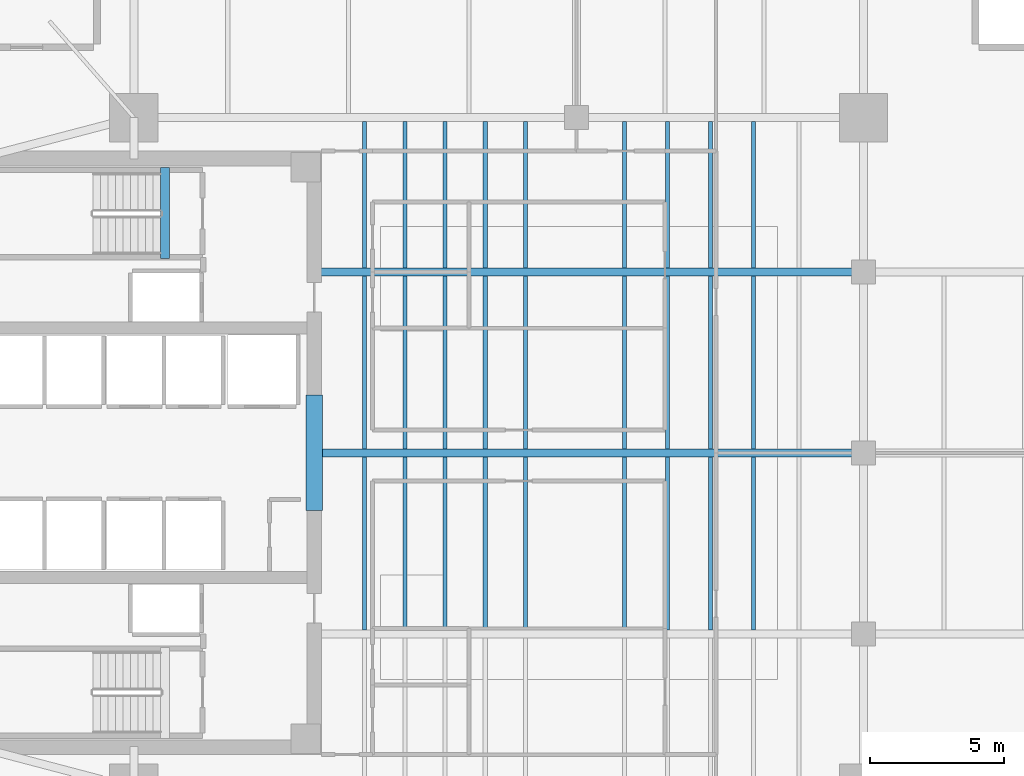
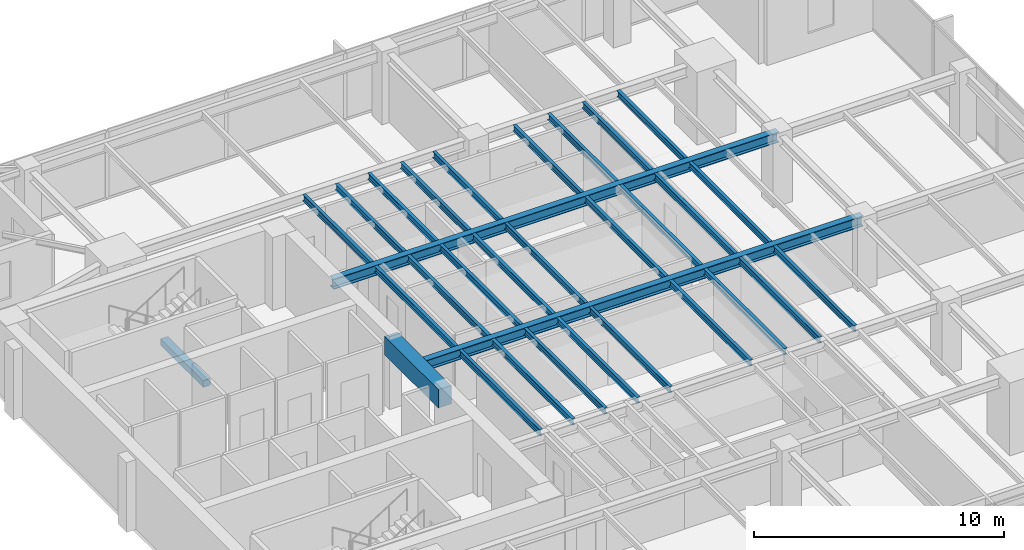
# One storey, part 3 of 14: 31 beams.
"""IFC4 building model written with IfcOpenShell, lengths in metres."""

from ifc_helpers import new_model, si_unit, direction, frame, origin, origin_2d, place, context, subcontext, project, spatial, rectangle, i_section, extrude, material, material_profile, profile_set, type_object, element, save


model = new_model("IFC4")

# Units and contexts
model_context = context("Model", 3, precision=1e-05, world=origin(), true_north=direction((0.0, 1.0)))
body_context = subcontext(model_context, "Body", "Model", "MODEL_VIEW")
ifc_project = project(units=[si_unit("LENGTHUNIT", "METRE"), si_unit("AREAUNIT", "SQUARE_METRE"), si_unit("VOLUMEUNIT", "CUBIC_METRE"), si_unit("PLANEANGLEUNIT", "RADIAN"), si_unit("MASSUNIT", "GRAM", prefix="KILO")], contexts=[model_context])

# Site, building, storey
site_placement = place(None, origin())
site = spatial("IfcSite", under=ifc_project, at=site_placement, CompositionType="ELEMENT")
building_placement = place(site_placement, origin())
building = spatial("IfcBuilding", under=site, at=building_placement, Name="Kinhvarn Gate Tower", CompositionType="ELEMENT")
storey_placement = place(building_placement, frame((0.0, 0.0, 188.050048828125)))
storey = spatial("IfcBuildingStorey", under=building, at=storey_placement, Name="L49", CompositionType="ELEMENT", Elevation=188.050048828125)

# Beams
ifc_material_1 = material(Name="Concrete C60/75", Category="concrete")
ifc_material_profile_1 = material_profile(ifc_material_1, rectangle(XDim=0.60009765625, YDim=0.89990234375, at=origin_2d()), Name="RC 600x900")
ifc_profile_set_1 = profile_set([ifc_material_profile_1], Name="Concrete C60/75")
beam_type_1 = type_object("IfcBeamType", Name="BM-CB-900", PredefinedType="LINTEL", material=ifc_profile_set_1)
beam_1_placement = place(storey_placement, frame((17.72509765625, 23.10009765625, 2.919921875), z_axis=(0.0, 1.0, 0.0), x_axis=(-1.0, 0.0, 0.0)))
element("IfcBeam", 1, at=beam_1_placement, inside=storey, type_object=beam_type_1, Name="Core East Portal Coupling Beam L49", PredefinedType="LINTEL", context=body_context, shape_type="SweptSolid", body=[
    extrude(rectangle(XDim=0.60009765625, YDim=0.89990234375, at=origin_2d()), origin(), (0.0, 0.0, 1.0), 4.2998046875),
])
ifc_material_2 = material(Name="Concrete C50/60", Category="concrete")
ifc_material_profile_2 = material_profile(ifc_material_2, rectangle(XDim=0.340087890625, YDim=0.320068359375, at=origin_2d()), Name="RC 340x320")
ifc_profile_set_2 = profile_set([ifc_material_profile_2], Name="Concrete C50/60")
beam_type_2 = type_object("IfcBeamType", Name="BM-LND-500", PredefinedType="BEAM", material=ifc_profile_set_2)
beam_2_placement = place(storey_placement, frame((12.1650390625, 32.5, -0.16015625), z_axis=(0.0, 1.0, 0.0), x_axis=(-1.0, 0.0, 0.0)))
element("IfcBeam", 2, at=beam_2_placement, inside=storey, type_object=beam_type_2, Name="Stair ST2 Landing Nosing Beam (L49)", PredefinedType="BEAM", context=body_context, shape_type="SweptSolid", body=[
    extrude(rectangle(XDim=0.340087890625, YDim=0.320068359375, at=origin_2d()), origin(), (0.0, 0.0, 1.0), 3.39990234375),
])
ifc_material_3 = material(Name="Steel S355", Category="steel")
ifc_material_profile_3 = material_profile(ifc_material_3, i_section(OverallWidth=0.300048828125, OverallDepth=0.5, WebThickness=0.014404296875, FlangeThickness=0.028076171875, at=origin_2d()), Name="HEB 500")
ifc_profile_set_3 = profile_set([ifc_material_profile_3], Name="Steel S355")
beam_type_3 = type_object("IfcBeamType", Name="STL-HEB500", PredefinedType="BEAM", material=ifc_profile_set_3)
beam_3_placement = place(storey_placement, frame((18.02490234375, 25.25, 3.119873046875), z_axis=(1.0, 0.0, 0.0), x_axis=(0.0, 1.0, 0.0)))
element("IfcBeam", 3, at=beam_3_placement, inside=storey, type_object=beam_type_3, Name="Floor Beam PG-14 (L49 EW1-Y25)", PredefinedType="BEAM", context=body_context, shape_type="SweptSolid", body=[
    extrude(i_section(OverallWidth=0.300048828125, OverallDepth=0.5, WebThickness=0.014404296875, FlangeThickness=0.028076171875, at=origin_2d()), origin(), (0.0, 0.0, 1.0), 20.175048828125),
])
beam_4_placement = place(storey_placement, frame((17.64990234375, 32.0, 3.119873046875), z_axis=(1.0, 0.0, 0.0), x_axis=(0.0, 1.0, 0.0)))
element("IfcBeam", 4, at=beam_4_placement, inside=storey, type_object=beam_type_3, Name="Floor Beam PG-14 (L49 EW1-Y32)", PredefinedType="BEAM", context=body_context, shape_type="SweptSolid", body=[
    extrude(i_section(OverallWidth=0.300048828125, OverallDepth=0.5, WebThickness=0.014404296875, FlangeThickness=0.028076171875, at=origin_2d()), origin(), (0.0, 0.0, 1.0), 20.550048828125),
])
ifc_material_profile_4 = material_profile(ifc_material_3, i_section(OverallWidth=0.14990234375, OverallDepth=0.300048828125, WebThickness=0.007080078125, FlangeThickness=0.0107421875, at=origin_2d()), Name="IPE 300")
ifc_profile_set_4 = profile_set([ifc_material_profile_4], Name="Steel S355")
beam_type_4 = type_object("IfcBeamType", Name="STL-IPE300", PredefinedType="JOIST", material=ifc_profile_set_4)
for number, where, z_axis, x_axis, name in (
    (5, (19.60009765625, 18.64990234375, 3.219970703125), (0.0, 1.0, 0.0), (-1.0, 0.0, 0.0), "Floor Joist SB-02 (L49 JC-X196-1)"),
    (6, (19.60009765625, 25.39990234375, 3.219970703125), (0.0, 1.0, 0.0), (-1.0, 0.0, 0.0), "Floor Joist SB-02 (L49 JC-X196-2)"),
):
    element("IfcBeam", number, at=place(storey_placement, frame(where, z_axis=z_axis, x_axis=x_axis)), inside=storey, type_object=beam_type_4, Name=name, PredefinedType="JOIST", context=body_context, shape_type="SweptSolid", body=[
        extrude(i_section(OverallWidth=0.14990234375, OverallDepth=0.300048828125, WebThickness=0.007080078125, FlangeThickness=0.0107421875, at=origin_2d()), origin(), (0.0, 0.0, 1.0), 6.4501953125),
    ])
beam_5_placement = place(storey_placement, frame((19.60009765625, 32.14990234375, 3.219970703125), z_axis=(0.0, 1.0, 0.0), x_axis=(-1.0, 0.0, 0.0)))
element("IfcBeam", 7, at=beam_5_placement, inside=storey, type_object=beam_type_4, Name="Floor Joist SB-02 (L49 JC-X196-3)", PredefinedType="JOIST", context=body_context, shape_type="SweptSolid", body=[
    extrude(i_section(OverallWidth=0.14990234375, OverallDepth=0.300048828125, WebThickness=0.007080078125, FlangeThickness=0.0107421875, at=origin_2d()), origin(), (0.0, 0.0, 1.0), 5.4501953125),
])
for number, where, z_axis, x_axis, name in (
    (8, (21.10009765625, 18.64990234375, 3.219970703125), (0.0, 1.0, 0.0), (-1.0, 0.0, 0.0), "Floor Joist SB-02 (L49 JC-X211-1)"),
    (9, (21.10009765625, 25.39990234375, 3.219970703125), (0.0, 1.0, 0.0), (-1.0, 0.0, 0.0), "Floor Joist SB-02 (L49 JC-X211-2)"),
):
    element("IfcBeam", number, at=place(storey_placement, frame(where, z_axis=z_axis, x_axis=x_axis)), inside=storey, type_object=beam_type_4, Name=name, PredefinedType="JOIST", context=body_context, shape_type="SweptSolid", body=[
        extrude(i_section(OverallWidth=0.14990234375, OverallDepth=0.300048828125, WebThickness=0.007080078125, FlangeThickness=0.0107421875, at=origin_2d()), origin(), (0.0, 0.0, 1.0), 6.4501953125),
    ])
beam_6_placement = place(storey_placement, frame((21.10009765625, 32.14990234375, 3.219970703125), z_axis=(0.0, 1.0, 0.0), x_axis=(-1.0, 0.0, 0.0)))
element("IfcBeam", 10, at=beam_6_placement, inside=storey, type_object=beam_type_4, Name="Floor Joist SB-02 (L49 JC-X211-3)", PredefinedType="JOIST", context=body_context, shape_type="SweptSolid", body=[
    extrude(i_section(OverallWidth=0.14990234375, OverallDepth=0.300048828125, WebThickness=0.007080078125, FlangeThickness=0.0107421875, at=origin_2d()), origin(), (0.0, 0.0, 1.0), 5.4501953125),
])
for number, where, z_axis, x_axis, name in (
    (11, (22.60009765625, 18.64990234375, 3.219970703125), (0.0, 1.0, 0.0), (-1.0, 0.0, 0.0), "Floor Joist SB-02 (L49 JC-X226-1)"),
    (12, (22.60009765625, 25.39990234375, 3.219970703125), (0.0, 1.0, 0.0), (-1.0, 0.0, 0.0), "Floor Joist SB-02 (L49 JC-X226-2)"),
):
    element("IfcBeam", number, at=place(storey_placement, frame(where, z_axis=z_axis, x_axis=x_axis)), inside=storey, type_object=beam_type_4, Name=name, PredefinedType="JOIST", context=body_context, shape_type="SweptSolid", body=[
        extrude(i_section(OverallWidth=0.14990234375, OverallDepth=0.300048828125, WebThickness=0.007080078125, FlangeThickness=0.0107421875, at=origin_2d()), origin(), (0.0, 0.0, 1.0), 6.4501953125),
    ])
beam_7_placement = place(storey_placement, frame((22.60009765625, 32.14990234375, 3.219970703125), z_axis=(0.0, 1.0, 0.0), x_axis=(-1.0, 0.0, 0.0)))
element("IfcBeam", 13, at=beam_7_placement, inside=storey, type_object=beam_type_4, Name="Floor Joist SB-02 (L49 JC-X226-3)", PredefinedType="JOIST", context=body_context, shape_type="SweptSolid", body=[
    extrude(i_section(OverallWidth=0.14990234375, OverallDepth=0.300048828125, WebThickness=0.007080078125, FlangeThickness=0.0107421875, at=origin_2d()), origin(), (0.0, 0.0, 1.0), 5.4501953125),
])
for number, where, z_axis, x_axis, name in (
    (14, (24.10009765625, 18.64990234375, 3.219970703125), (0.0, 1.0, 0.0), (-1.0, 0.0, 0.0), "Floor Joist SB-02 (L49 JC-X241-1)"),
    (15, (24.10009765625, 25.39990234375, 3.219970703125), (0.0, 1.0, 0.0), (-1.0, 0.0, 0.0), "Floor Joist SB-02 (L49 JC-X241-2)"),
):
    element("IfcBeam", number, at=place(storey_placement, frame(where, z_axis=z_axis, x_axis=x_axis)), inside=storey, type_object=beam_type_4, Name=name, PredefinedType="JOIST", context=body_context, shape_type="SweptSolid", body=[
        extrude(i_section(OverallWidth=0.14990234375, OverallDepth=0.300048828125, WebThickness=0.007080078125, FlangeThickness=0.0107421875, at=origin_2d()), origin(), (0.0, 0.0, 1.0), 6.4501953125),
    ])
beam_8_placement = place(storey_placement, frame((24.10009765625, 32.14990234375, 3.219970703125), z_axis=(0.0, 1.0, 0.0), x_axis=(-1.0, 0.0, 0.0)))
element("IfcBeam", 16, at=beam_8_placement, inside=storey, type_object=beam_type_4, Name="Floor Joist SB-02 (L49 JC-X241-3)", PredefinedType="JOIST", context=body_context, shape_type="SweptSolid", body=[
    extrude(i_section(OverallWidth=0.14990234375, OverallDepth=0.300048828125, WebThickness=0.007080078125, FlangeThickness=0.0107421875, at=origin_2d()), origin(), (0.0, 0.0, 1.0), 5.4501953125),
])
for number, where, z_axis, x_axis, name in (
    (17, (25.60009765625, 18.64990234375, 3.219970703125), (0.0, 1.0, 0.0), (-1.0, 0.0, 0.0), "Floor Joist SB-02 (L49 JC-X256-1)"),
    (18, (25.60009765625, 25.39990234375, 3.219970703125), (0.0, 1.0, 0.0), (-1.0, 0.0, 0.0), "Floor Joist SB-02 (L49 JC-X256-2)"),
):
    element("IfcBeam", number, at=place(storey_placement, frame(where, z_axis=z_axis, x_axis=x_axis)), inside=storey, type_object=beam_type_4, Name=name, PredefinedType="JOIST", context=body_context, shape_type="SweptSolid", body=[
        extrude(i_section(OverallWidth=0.14990234375, OverallDepth=0.300048828125, WebThickness=0.007080078125, FlangeThickness=0.0107421875, at=origin_2d()), origin(), (0.0, 0.0, 1.0), 6.4501953125),
    ])
beam_9_placement = place(storey_placement, frame((25.60009765625, 32.14990234375, 3.219970703125), z_axis=(0.0, 1.0, 0.0), x_axis=(-1.0, 0.0, 0.0)))
element("IfcBeam", 19, at=beam_9_placement, inside=storey, type_object=beam_type_4, Name="Floor Joist SB-02 (L49 JC-X256-3)", PredefinedType="JOIST", context=body_context, shape_type="SweptSolid", body=[
    extrude(i_section(OverallWidth=0.14990234375, OverallDepth=0.300048828125, WebThickness=0.007080078125, FlangeThickness=0.0107421875, at=origin_2d()), origin(), (0.0, 0.0, 1.0), 5.4501953125),
])
for number, where, z_axis, x_axis, name in (
    (20, (29.300048828125, 18.64990234375, 3.219970703125), (0.0, 1.0, 0.0), (-1.0, 0.0, 0.0), "Floor Joist SB-02 (L49 JC-X293-1)"),
    (21, (29.300048828125, 25.39990234375, 3.219970703125), (0.0, 1.0, 0.0), (-1.0, 0.0, 0.0), "Floor Joist SB-02 (L49 JC-X293-2)"),
):
    element("IfcBeam", number, at=place(storey_placement, frame(where, z_axis=z_axis, x_axis=x_axis)), inside=storey, type_object=beam_type_4, Name=name, PredefinedType="JOIST", context=body_context, shape_type="SweptSolid", body=[
        extrude(i_section(OverallWidth=0.14990234375, OverallDepth=0.300048828125, WebThickness=0.007080078125, FlangeThickness=0.0107421875, at=origin_2d()), origin(), (0.0, 0.0, 1.0), 6.4501953125),
    ])
beam_10_placement = place(storey_placement, frame((29.300048828125, 32.14990234375, 3.219970703125), z_axis=(0.0, 1.0, 0.0), x_axis=(-1.0, 0.0, 0.0)))
element("IfcBeam", 22, at=beam_10_placement, inside=storey, type_object=beam_type_4, Name="Floor Joist SB-02 (L49 JC-X293-3)", PredefinedType="JOIST", context=body_context, shape_type="SweptSolid", body=[
    extrude(i_section(OverallWidth=0.14990234375, OverallDepth=0.300048828125, WebThickness=0.007080078125, FlangeThickness=0.0107421875, at=origin_2d()), origin(), (0.0, 0.0, 1.0), 5.4501953125),
])
for number, where, z_axis, x_axis, name in (
    (23, (30.89990234375, 18.64990234375, 3.219970703125), (0.0, 1.0, 0.0), (-1.0, 0.0, 0.0), "Floor Joist SB-02 (L49 JC-X309-1)"),
    (24, (30.89990234375, 25.39990234375, 3.219970703125), (0.0, 1.0, 0.0), (-1.0, 0.0, 0.0), "Floor Joist SB-02 (L49 JC-X309-2)"),
):
    element("IfcBeam", number, at=place(storey_placement, frame(where, z_axis=z_axis, x_axis=x_axis)), inside=storey, type_object=beam_type_4, Name=name, PredefinedType="JOIST", context=body_context, shape_type="SweptSolid", body=[
        extrude(i_section(OverallWidth=0.14990234375, OverallDepth=0.300048828125, WebThickness=0.007080078125, FlangeThickness=0.0107421875, at=origin_2d()), origin(), (0.0, 0.0, 1.0), 6.4501953125),
    ])
beam_11_placement = place(storey_placement, frame((30.89990234375, 32.14990234375, 3.219970703125), z_axis=(0.0, 1.0, 0.0), x_axis=(-1.0, 0.0, 0.0)))
element("IfcBeam", 25, at=beam_11_placement, inside=storey, type_object=beam_type_4, Name="Floor Joist SB-02 (L49 JC-X309-3)", PredefinedType="JOIST", context=body_context, shape_type="SweptSolid", body=[
    extrude(i_section(OverallWidth=0.14990234375, OverallDepth=0.300048828125, WebThickness=0.007080078125, FlangeThickness=0.0107421875, at=origin_2d()), origin(), (0.0, 0.0, 1.0), 5.4501953125),
])
for number, where, z_axis, x_axis, name in (
    (26, (32.5, 18.64990234375, 3.219970703125), (0.0, 1.0, 0.0), (-1.0, 0.0, 0.0), "Floor Joist SB-02 (L49 JC-X325-1)"),
    (27, (32.5, 25.39990234375, 3.219970703125), (0.0, 1.0, 0.0), (-1.0, 0.0, 0.0), "Floor Joist SB-02 (L49 JC-X325-2)"),
):
    element("IfcBeam", number, at=place(storey_placement, frame(where, z_axis=z_axis, x_axis=x_axis)), inside=storey, type_object=beam_type_4, Name=name, PredefinedType="JOIST", context=body_context, shape_type="SweptSolid", body=[
        extrude(i_section(OverallWidth=0.14990234375, OverallDepth=0.300048828125, WebThickness=0.007080078125, FlangeThickness=0.0107421875, at=origin_2d()), origin(), (0.0, 0.0, 1.0), 6.4501953125),
    ])
beam_12_placement = place(storey_placement, frame((32.5, 32.14990234375, 3.219970703125), z_axis=(0.0, 1.0, 0.0), x_axis=(-1.0, 0.0, 0.0)))
element("IfcBeam", 28, at=beam_12_placement, inside=storey, type_object=beam_type_4, Name="Floor Joist SB-02 (L49 JC-X325-3)", PredefinedType="JOIST", context=body_context, shape_type="SweptSolid", body=[
    extrude(i_section(OverallWidth=0.14990234375, OverallDepth=0.300048828125, WebThickness=0.007080078125, FlangeThickness=0.0107421875, at=origin_2d()), origin(), (0.0, 0.0, 1.0), 5.4501953125),
])
for number, where, z_axis, x_axis, name in (
    (29, (34.10009765625, 18.64990234375, 3.219970703125), (0.0, 1.0, 0.0), (-1.0, 0.0, 0.0), "Floor Joist SB-02 (L49 JC-X341-1)"),
    (30, (34.10009765625, 25.39990234375, 3.219970703125), (0.0, 1.0, 0.0), (-1.0, 0.0, 0.0), "Floor Joist SB-02 (L49 JC-X341-2)"),
):
    element("IfcBeam", number, at=place(storey_placement, frame(where, z_axis=z_axis, x_axis=x_axis)), inside=storey, type_object=beam_type_4, Name=name, PredefinedType="JOIST", context=body_context, shape_type="SweptSolid", body=[
        extrude(i_section(OverallWidth=0.14990234375, OverallDepth=0.300048828125, WebThickness=0.007080078125, FlangeThickness=0.0107421875, at=origin_2d()), origin(), (0.0, 0.0, 1.0), 6.4501953125),
    ])
beam_13_placement = place(storey_placement, frame((34.10009765625, 32.14990234375, 3.219970703125), z_axis=(0.0, 1.0, 0.0), x_axis=(-1.0, 0.0, 0.0)))
element("IfcBeam", 31, at=beam_13_placement, inside=storey, type_object=beam_type_4, Name="Floor Joist SB-02 (L49 JC-X341-3)", PredefinedType="JOIST", context=body_context, shape_type="SweptSolid", body=[
    extrude(i_section(OverallWidth=0.14990234375, OverallDepth=0.300048828125, WebThickness=0.007080078125, FlangeThickness=0.0107421875, at=origin_2d()), origin(), (0.0, 0.0, 1.0), 5.4501953125),
])

save(model, "model.ifc")
